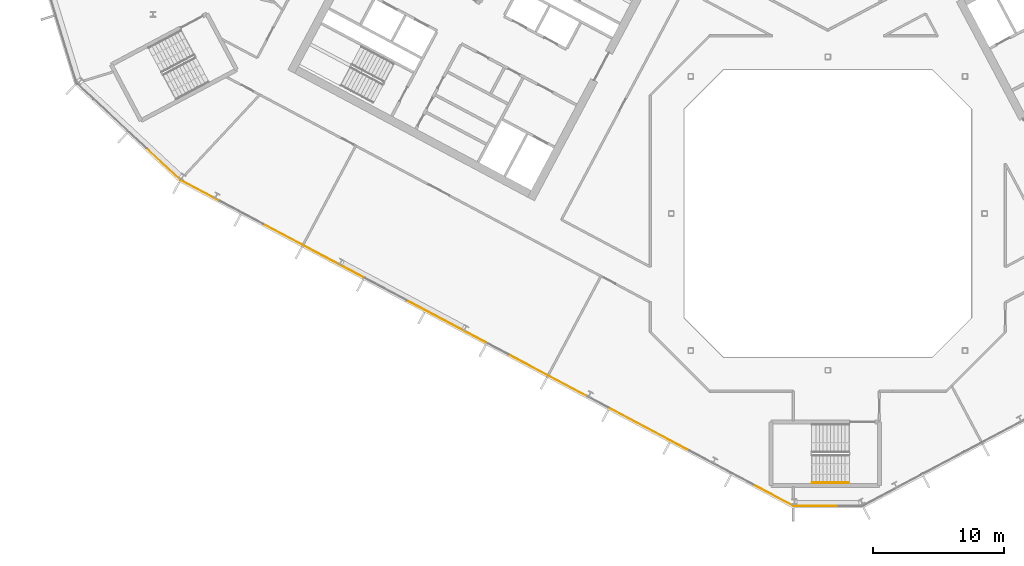
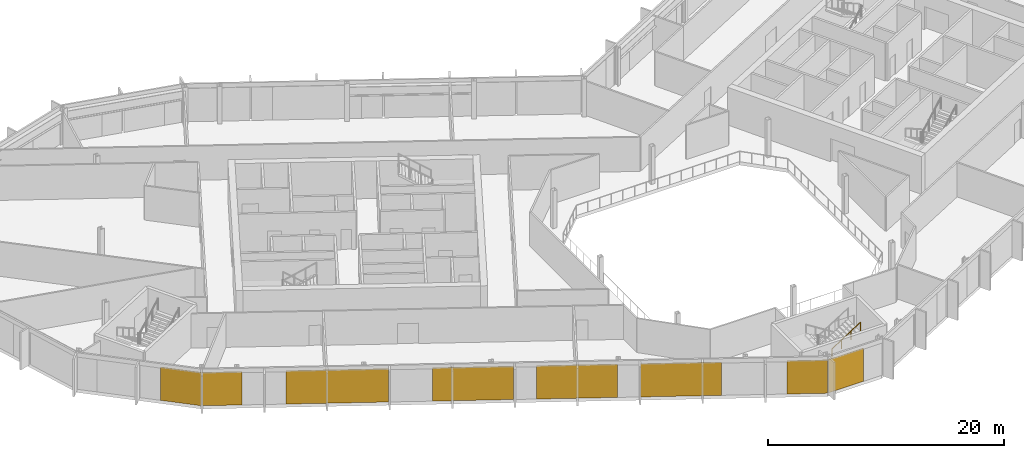
# One storey, part 18 of 26: 8 coverings, 1 railing, 3 elements without a shape of their own.
"""IFC4 building model written with IfcOpenShell, lengths in metres."""

from ifc_helpers import new_model, si_unit, direction, frame, origin, origin_2d, place, context, subcontext, project, spatial, polyline, rectangle, outline, extrude, material, layer, layer_set, type_object, element, aggregate, save


model = new_model("IFC4")

# Units and contexts
model_context = context("Model", 3, precision=1e-05, world=origin(), true_north=direction((0.0, 1.0)))
body_context = subcontext(model_context, "Body", "Model", "MODEL_VIEW")
ifc_project = project(units=[si_unit("LENGTHUNIT", "METRE"), si_unit("AREAUNIT", "SQUARE_METRE"), si_unit("VOLUMEUNIT", "CUBIC_METRE"), si_unit("PLANEANGLEUNIT", "RADIAN"), si_unit("MASSUNIT", "GRAM", prefix="KILO")], contexts=[model_context])

# Site, building, storey
site_placement = place(None, origin())
site = spatial("IfcSite", under=ifc_project, at=site_placement, CompositionType="ELEMENT")
building_placement = place(site_placement, origin())
building = spatial("IfcBuilding", under=site, at=building_placement, Name="Cormorant Relay Tower", CompositionType="ELEMENT")
storey_placement = place(building_placement, frame((0.0, 0.0, 236.39990234375)))
storey = spatial("IfcBuildingStorey", under=building, at=storey_placement, Name="L52", CompositionType="ELEMENT", Elevation=236.39990234375)

# Curtain wall, covering
ifc_material_1 = material(Name="Aluminium 6063-T6 anodised bronze", Category="aluminium")
ifc_layer_1 = layer(ifc_material_1, 0.199951171875)
ifc_layer_set_1 = layer_set([ifc_layer_1], Name="CW1 unitised bronze curtain wall with vertical fins")
curtain_wall_type = type_object("IfcCurtainWallType", Name="CW1 unitised bronze curtain wall with vertical fins", PredefinedType="NOTDEFINED", material=ifc_layer_set_1)
curtain_wall_1_placement = place(storey_placement, origin())
curtain_wall_1 = element("IfcCurtainWall", 1, at=curtain_wall_1_placement, inside=storey, type_object=curtain_wall_type, Name="CW1 curtain wall 1", PredefinedType="NOTDEFINED")
ifc_material_2 = material(Name="Pale bronze anodised aluminium insulated panel", Category="aluminium")
ifc_layer_2 = layer(ifc_material_2, 0.0400390625)
ifc_layer_set_2 = layer_set([ifc_layer_2], Name="CW1 pale bronze insulated panel 40")
covering_type = type_object("IfcCoveringType", Name="CW1 pale bronze insulated panel 40", PredefinedType="CLADDING", material=ifc_layer_set_2)
covering_1_placement = place(storey_placement, frame((-0.862548828125, -22.3955078125, 0.0), z_axis=(0.0, 0.0, 1.0), x_axis=(1.0, 0.0, 0.0)))
covering_1 = element("IfcCovering", 2, at=covering_1_placement, type_object=covering_type, Name="CW1 panel S00", PredefinedType="CLADDING", context=body_context, shape_type="SweptSolid", body=[
    extrude(rectangle(XDim=3.422607421875, YDim=0.0400390625, at=origin_2d()), origin(), (0.0, 0.0, 1.0), 3.449951171875),
])
aggregate(curtain_wall_1, [covering_1])

curtain_wall_2_placement = place(storey_placement, origin())
curtain_wall_2 = element("IfcCurtainWall", 3, at=curtain_wall_2_placement, inside=storey, type_object=curtain_wall_type, Name="CW1 curtain wall 15", PredefinedType="NOTDEFINED")
covering_2_placement = place(storey_placement, frame((-50.906982421875, 3.78369140625, 0.0), z_axis=(0.0, 0.0, 1.0), x_axis=(0.731353701619, -0.681998360062, 0.0)))
covering_2 = element("IfcCovering", 4, at=covering_2_placement, type_object=covering_type, Name="CW1 panel S03", PredefinedType="CLADDING", context=body_context, shape_type="SweptSolid", body=[
    extrude(rectangle(XDim=3.560302734375, YDim=0.0400390625, at=origin_2d()), origin(), (0.0, 0.0, 1.0), 3.449951171875),
])
aggregate(curtain_wall_2, [covering_2])

# Curtain wall, coverings
curtain_wall_3_placement = place(storey_placement, origin())
curtain_wall_3 = element("IfcCurtainWall", 5, at=curtain_wall_3_placement, inside=storey, type_object=curtain_wall_type, Name="CW1 curtain wall 16", PredefinedType="NOTDEFINED")
covering_3_placement = place(storey_placement, frame((-48.048583984375, 1.7412109375, 0.0), z_axis=(0.0, 0.0, 1.0), x_axis=(0.882947592859, -0.469471562786, 0.0)))
covering_3 = element("IfcCovering", 6, at=covering_3_placement, type_object=covering_type, Name="CW1 panel S00", PredefinedType="CLADDING", context=body_context, shape_type="SweptSolid", body=[
    extrude(rectangle(XDim=3.36669921875, YDim=0.0400390625, at=origin_2d()), origin(), (0.0, 0.0, 1.0), 3.449951171875),
])
covering_4_placement = place(storey_placement, frame((-39.417724609375, -2.847900390625, 0.0), z_axis=(0.0, 0.0, 1.0), x_axis=(0.882947592859, -0.469471562786, 0.0)))
covering_4 = element("IfcCovering", 7, at=covering_4_placement, type_object=covering_type, Name="CW1 panel S03", PredefinedType="CLADDING", context=body_context, shape_type="SweptSolid", body=[
    extrude(rectangle(XDim=8.68310546875, YDim=0.0400390625, at=origin_2d()), origin(), (0.0, 0.0, 1.0), 3.449951171875),
])
covering_5_placement = place(storey_placement, frame((-29.234619140625, -8.26220703125, 0.0), z_axis=(0.0, 0.0, 1.0), x_axis=(0.882947592859, -0.469471562786, 0.0)))
covering_5 = element("IfcCovering", 8, at=covering_5_placement, type_object=covering_type, Name="CW1 panel S05", PredefinedType="CLADDING", context=body_context, shape_type="SweptSolid", body=[
    extrude(rectangle(XDim=6.88330078125, YDim=0.0400390625, at=origin_2d()), origin(), (0.0, 0.0, 1.0), 3.449951171875),
])
covering_6_placement = place(storey_placement, frame((-21.435302734375, -12.4091796875, 0.0), z_axis=(0.0, 0.0, 1.0), x_axis=(0.882947592859, -0.469471562786, 0.0)))
covering_6 = element("IfcCovering", 9, at=covering_6_placement, type_object=covering_type, Name="CW1 panel S07", PredefinedType="CLADDING", context=body_context, shape_type="SweptSolid", body=[
    extrude(rectangle(XDim=6.88330078125, YDim=0.0400390625, at=origin_2d()), origin(), (0.0, 0.0, 1.0), 3.449951171875),
])
covering_7_placement = place(storey_placement, frame((-13.635986328125, -16.55615234375, 0.0), z_axis=(0.0, 0.0, 1.0), x_axis=(0.882947592859, -0.469471562786, 0.0)))
covering_7 = element("IfcCovering", 10, at=covering_7_placement, type_object=covering_type, Name="CW1 panel S09", PredefinedType="CLADDING", context=body_context, shape_type="SweptSolid", body=[
    extrude(rectangle(XDim=6.88330078125, YDim=0.0400390625, at=origin_2d()), origin(), (0.0, 0.0, 1.0), 3.449951171875),
])
covering_8_placement = place(storey_placement, frame((-4.177490234375, -21.58544921875, 0.0), z_axis=(0.0, 0.0, 1.0), x_axis=(0.882947592859, -0.469471562786, 0.0)))
covering_8 = element("IfcCovering", 11, at=covering_8_placement, type_object=covering_type, Name="CW1 panel S12", PredefinedType="CLADDING", context=body_context, shape_type="SweptSolid", body=[
    extrude(rectangle(XDim=3.441650390625, YDim=0.0400390625, at=origin_2d()), origin(), (0.0, 0.0, 1.0), 3.449951171875),
])
aggregate(curtain_wall_3, [covering_3, covering_4, covering_5, covering_6, covering_7, covering_8])

# Railing
ifc_material_3 = material(Name="Steel ASTM A572 Grade 50 (Fy 345 MPa)", Category="steel")
railing_type = type_object("IfcRailingType", Name="Stair handrail 900", PredefinedType="HANDRAIL", material=ifc_material_3)
railing_placement = place(storey_placement, frame((-1.199951171875, -20.625, 2.12744140625)))
element("IfcRailing", 12, at=railing_placement, inside=storey, type_object=railing_type, Name="L52 RK1 stair handrail 2", PredefinedType="HANDRAIL", context=body_context, shape_type="SweptSolid", body=[
    extrude(outline(polyline([(0.022216796875, 0.00927734375), (0.00927734375, 0.022216796875), (-0.00927734375, 0.022216796875), (-0.022216796875, 0.00927734375), (-0.022216796875, -0.00927734375), (-0.00927734375, -0.022216796875), (0.00927734375, -0.022216796875), (0.022216796875, -0.00927734375), (0.022216796875, 0.00927734375)])), frame((0.0, 0.0, 0.8759765625), z_axis=(0.844908973607, 0.0, 0.534910110503), x_axis=(0.0, 1.0, 0.0)), (0.0, 0.0, 1.0), 3.31396484375),
    extrude(outline(polyline([(0.019287109375, 0.008056640625), (0.008056640625, 0.019287109375), (-0.008056640625, 0.019287109375), (-0.019287109375, 0.008056640625), (-0.019287109375, -0.008056640625), (-0.008056640625, -0.019287109375), (0.008056640625, -0.019287109375), (0.019287109375, -0.008056640625), (0.019287109375, 0.008056640625)])), origin(), (0.0, 0.0, 1.0), 0.851806640625),
    extrude(outline(polyline([(0.019287109375, 0.008056640625), (0.008056640625, 0.019287109375), (-0.008056640625, 0.019287109375), (-0.019287109375, 0.008056640625), (-0.019287109375, -0.008056640625), (-0.008056640625, -0.019287109375), (0.008056640625, -0.019287109375), (0.019287109375, -0.008056640625), (0.019287109375, 0.008056640625)])), frame((0.933349609375, 0.0, 0.5908203125)), (0.0, 0.0, 1.0), 0.851806640625),
    extrude(outline(polyline([(0.019287109375, 0.008056640625), (0.008056640625, 0.019287109375), (-0.008056640625, 0.019287109375), (-0.019287109375, 0.008056640625), (-0.019287109375, -0.008056640625), (-0.008056640625, -0.019287109375), (0.008056640625, -0.019287109375), (0.019287109375, -0.008056640625), (0.019287109375, 0.008056640625)])), frame((1.86669921875, 0.0, 1.181884765625)), (0.0, 0.0, 1.0), 0.851806640625),
    extrude(outline(polyline([(0.019287109375, 0.008056640625), (0.008056640625, 0.019287109375), (-0.008056640625, 0.019287109375), (-0.019287109375, 0.008056640625), (-0.019287109375, -0.008056640625), (-0.008056640625, -0.019287109375), (0.008056640625, -0.019287109375), (0.019287109375, -0.008056640625), (0.019287109375, 0.008056640625)])), frame((2.800048828125, 0.0, 1.772705078125)), (0.0, 0.0, 1.0), 0.851806640625),
])

save(model, "model.ifc")
